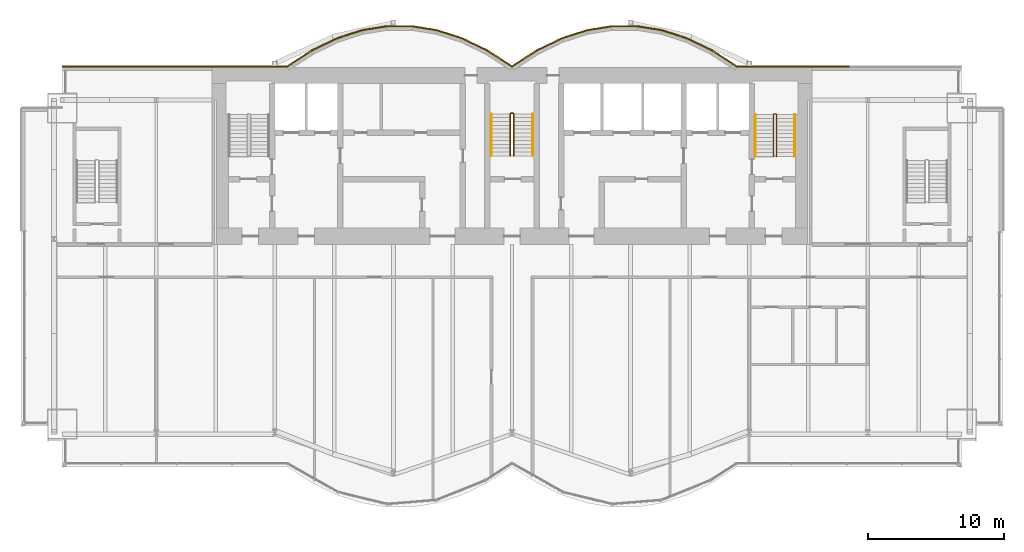
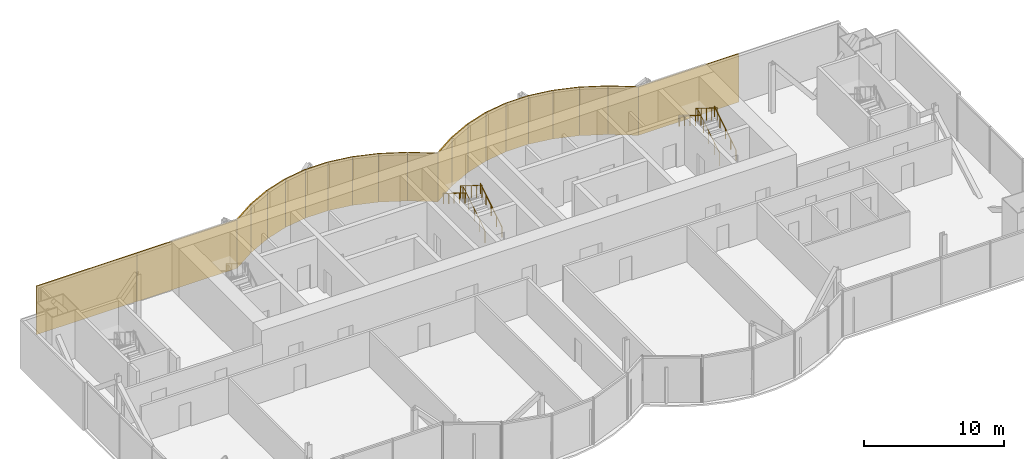
# One storey, part 18 of 19: 21 coverings, 6 railings.
"""IFC4 building model written with IfcOpenShell, lengths in metres."""

from ifc_helpers import new_model, si_unit, direction, frame, origin, origin_2d, place, context, subcontext, project, spatial, rectangle, circle, extrude, material, layer, layer_set, type_object, element, save


model = new_model("IFC4")

# Units and contexts
model_context = context("Model", 3, precision=1e-05, world=origin(), true_north=direction((0.0, 1.0)))
body_context = subcontext(model_context, "Body", "Model", "MODEL_VIEW")
ifc_project = project(units=[si_unit("LENGTHUNIT", "METRE"), si_unit("AREAUNIT", "SQUARE_METRE"), si_unit("VOLUMEUNIT", "CUBIC_METRE"), si_unit("PLANEANGLEUNIT", "RADIAN"), si_unit("MASSUNIT", "GRAM", prefix="KILO")], contexts=[model_context])

# Site, building, storey
site_placement = place(None, origin())
site = spatial("IfcSite", under=ifc_project, at=site_placement, CompositionType="ELEMENT")
building_placement = place(site_placement, origin())
building = spatial("IfcBuilding", under=site, at=building_placement, Name="Bicima Exchange Tower", CompositionType="ELEMENT")
storey_placement = place(building_placement, frame((0.0, 0.0, 258.199951171875)))
storey = spatial("IfcBuildingStorey", under=building, at=storey_placement, Name="L58", CompositionType="ELEMENT", Elevation=258.199951171875)

# Coverings
ifc_material_1 = material(Name="Bronze metal cladding")
ifc_layer_1 = layer(ifc_material_1, 0.004)
ifc_material_2 = material(Name="Ventilated cavity")
ifc_layer_2 = layer(ifc_material_2, 0.06)
ifc_material_3 = material(Name="Galvanised steel rail and mineral wool", Category="steel")
ifc_layer_3 = layer(ifc_material_3, 0.036)
ifc_layer_set = layer_set([ifc_layer_1, ifc_layer_2, ifc_layer_3], Name="Ventilated cavity")
covering_type = type_object("IfcCoveringType", Name="Bronze metal cladding panel 100", PredefinedType="CLADDING", material=ifc_layer_set)
covering_1_placement = place(storey_placement, frame((20.625, 0.050048828125, -0.14990234375), z_axis=(0.0, 0.0, 1.0), x_axis=(-1.0, 0.0, 0.0)))
element("IfcCovering", 1, at=covering_1_placement, inside=storey, type_object=covering_type, Name="Bronze cladding L58 1.2", PredefinedType="CLADDING", context=body_context, shape_type="SweptSolid", body=[
    extrude(rectangle(XDim=8.25, YDim=0.10009765625, at=origin_2d()), origin(), (0.0, 0.0, 1.0), 4.199951171875),
])
covering_2_placement = place(storey_placement, frame((15.610595703125, 0.634521484375, -0.14990234375), z_axis=(0.0, 0.0, 1.0), x_axis=(-0.839790466384, 0.542910648791, 0.0)))
element("IfcCovering", 2, at=covering_2_placement, inside=storey, type_object=covering_type, Name="Bronze cladding L58 2.1", PredefinedType="CLADDING", context=body_context, shape_type="SweptSolid", body=[
    extrude(rectangle(XDim=2.18310546875, YDim=0.10009765625, at=origin_2d()), origin(), (0.0, 0.0, 1.0), 4.199951171875),
])
covering_3_placement = place(storey_placement, frame((13.771728515625, 1.674560546875, -0.14990234375), z_axis=(0.0, 0.0, 1.0), x_axis=(-0.899818346812, 0.436264762204, 0.0)))
element("IfcCovering", 3, at=covering_3_placement, inside=storey, type_object=covering_type, Name="Bronze cladding L58 3.1", PredefinedType="CLADDING", context=body_context, shape_type="SweptSolid", body=[
    extrude(rectangle(XDim=2.03759765625, YDim=0.10009765625, at=origin_2d()), origin(), (0.0, 0.0, 1.0), 4.199951171875),
])
covering_4_placement = place(storey_placement, frame((11.931884765625, 2.41796875, -0.14990234375), z_axis=(0.0, 0.0, 1.0), x_axis=(-0.951524642381, 0.307572519808, 0.0)))
element("IfcCovering", 4, at=covering_4_placement, inside=storey, type_object=covering_type, Name="Bronze cladding L58 4.1", PredefinedType="CLADDING", context=body_context, shape_type="SweptSolid", body=[
    extrude(rectangle(XDim=1.9267578125, YDim=0.10009765625, at=origin_2d()), origin(), (0.0, 0.0, 1.0), 4.199951171875),
])
covering_5_placement = place(storey_placement, frame((10.09130859375, 2.8642578125, -0.14990234375), z_axis=(0.0, 0.0, 1.0), x_axis=(-0.987189786347, 0.159550386184, 0.0)))
element("IfcCovering", 5, at=covering_5_placement, inside=storey, type_object=covering_type, Name="Bronze cladding L58 5.1", PredefinedType="CLADDING", context=body_context, shape_type="SweptSolid", body=[
    extrude(rectangle(XDim=1.857177734375, YDim=0.10009765625, at=origin_2d()), origin(), (0.0, 0.0, 1.0), 4.199951171875),
])
covering_6_placement = place(storey_placement, frame((8.25, 3.012939453125, -0.14990234375), z_axis=(0.0, 0.0, 1.0), x_axis=(-1.0, 0.0, 0.0)))
element("IfcCovering", 6, at=covering_6_placement, inside=storey, type_object=covering_type, Name="Bronze cladding L58 6.1", PredefinedType="CLADDING", context=body_context, shape_type="SweptSolid", body=[
    extrude(rectangle(XDim=1.83349609375, YDim=0.10009765625, at=origin_2d()), origin(), (0.0, 0.0, 1.0), 4.199951171875),
])
covering_7_placement = place(storey_placement, frame((6.40869140625, 2.8642578125, -0.14990234375), z_axis=(0.0, 0.0, 1.0), x_axis=(-0.987189786347, -0.159550386184, 0.0)))
element("IfcCovering", 7, at=covering_7_placement, inside=storey, type_object=covering_type, Name="Bronze cladding L58 7.1", PredefinedType="CLADDING", context=body_context, shape_type="SweptSolid", body=[
    extrude(rectangle(XDim=1.857177734375, YDim=0.10009765625, at=origin_2d()), origin(), (0.0, 0.0, 1.0), 4.199951171875),
])
covering_8_placement = place(storey_placement, frame((4.568115234375, 2.41796875, -0.14990234375), z_axis=(0.0, 0.0, 1.0), x_axis=(-0.951524642381, -0.307572519808, 0.0)))
element("IfcCovering", 8, at=covering_8_placement, inside=storey, type_object=covering_type, Name="Bronze cladding L58 8.1", PredefinedType="CLADDING", context=body_context, shape_type="SweptSolid", body=[
    extrude(rectangle(XDim=1.9267578125, YDim=0.10009765625, at=origin_2d()), origin(), (0.0, 0.0, 1.0), 4.199951171875),
])
covering_9_placement = place(storey_placement, frame((2.728271484375, 1.674560546875, -0.14990234375), z_axis=(0.0, 0.0, 1.0), x_axis=(-0.899818346812, -0.436264762204, 0.0)))
element("IfcCovering", 9, at=covering_9_placement, inside=storey, type_object=covering_type, Name="Bronze cladding L58 9.1", PredefinedType="CLADDING", context=body_context, shape_type="SweptSolid", body=[
    extrude(rectangle(XDim=2.03759765625, YDim=0.10009765625, at=origin_2d()), origin(), (0.0, 0.0, 1.0), 4.199951171875),
])
for number, where, z_axis, x_axis, name in (
    (10, (0.889404296875, 0.634521484375, -0.14990234375), (0.0, 0.0, 1.0), (-0.839790466384, -0.542910648791, 0.0), "Bronze cladding L58 10.1"),
    (11, (-0.889404296875, 0.634521484375, -0.14990234375), (0.0, 0.0, 1.0), (-0.839790466384, 0.542910648791, 0.0), "Bronze cladding L58 11.1"),
):
    element("IfcCovering", number, at=place(storey_placement, frame(where, z_axis=z_axis, x_axis=x_axis)), inside=storey, type_object=covering_type, Name=name, PredefinedType="CLADDING", context=body_context, shape_type="SweptSolid", body=[
        extrude(rectangle(XDim=2.18310546875, YDim=0.10009765625, at=origin_2d()), origin(), (0.0, 0.0, 1.0), 4.199951171875),
    ])
covering_10_placement = place(storey_placement, frame((-2.728271484375, 1.674560546875, -0.14990234375), z_axis=(0.0, 0.0, 1.0), x_axis=(-0.899818346812, 0.436264762204, 0.0)))
element("IfcCovering", 12, at=covering_10_placement, inside=storey, type_object=covering_type, Name="Bronze cladding L58 12.1", PredefinedType="CLADDING", context=body_context, shape_type="SweptSolid", body=[
    extrude(rectangle(XDim=2.03759765625, YDim=0.10009765625, at=origin_2d()), origin(), (0.0, 0.0, 1.0), 4.199951171875),
])
covering_11_placement = place(storey_placement, frame((-4.568115234375, 2.41796875, -0.14990234375), z_axis=(0.0, 0.0, 1.0), x_axis=(-0.951524642381, 0.307572519808, 0.0)))
element("IfcCovering", 13, at=covering_11_placement, inside=storey, type_object=covering_type, Name="Bronze cladding L58 13.1", PredefinedType="CLADDING", context=body_context, shape_type="SweptSolid", body=[
    extrude(rectangle(XDim=1.9267578125, YDim=0.10009765625, at=origin_2d()), origin(), (0.0, 0.0, 1.0), 4.199951171875),
])
covering_12_placement = place(storey_placement, frame((-6.40869140625, 2.8642578125, -0.14990234375), z_axis=(0.0, 0.0, 1.0), x_axis=(-0.987189786347, 0.159550386184, 0.0)))
element("IfcCovering", 14, at=covering_12_placement, inside=storey, type_object=covering_type, Name="Bronze cladding L58 14.1", PredefinedType="CLADDING", context=body_context, shape_type="SweptSolid", body=[
    extrude(rectangle(XDim=1.857177734375, YDim=0.10009765625, at=origin_2d()), origin(), (0.0, 0.0, 1.0), 4.199951171875),
])
covering_13_placement = place(storey_placement, frame((-8.25, 3.012939453125, -0.14990234375), z_axis=(0.0, 0.0, 1.0), x_axis=(-1.0, 0.0, 0.0)))
element("IfcCovering", 15, at=covering_13_placement, inside=storey, type_object=covering_type, Name="Bronze cladding L58 15.1", PredefinedType="CLADDING", context=body_context, shape_type="SweptSolid", body=[
    extrude(rectangle(XDim=1.83349609375, YDim=0.10009765625, at=origin_2d()), origin(), (0.0, 0.0, 1.0), 4.199951171875),
])
covering_14_placement = place(storey_placement, frame((-10.09130859375, 2.8642578125, -0.14990234375), z_axis=(0.0, 0.0, 1.0), x_axis=(-0.987189786347, -0.159550386184, 0.0)))
element("IfcCovering", 16, at=covering_14_placement, inside=storey, type_object=covering_type, Name="Bronze cladding L58 16.1", PredefinedType="CLADDING", context=body_context, shape_type="SweptSolid", body=[
    extrude(rectangle(XDim=1.857177734375, YDim=0.10009765625, at=origin_2d()), origin(), (0.0, 0.0, 1.0), 4.199951171875),
])
covering_15_placement = place(storey_placement, frame((-11.931884765625, 2.41796875, -0.14990234375), z_axis=(0.0, 0.0, 1.0), x_axis=(-0.951524642381, -0.307572519808, 0.0)))
element("IfcCovering", 17, at=covering_15_placement, inside=storey, type_object=covering_type, Name="Bronze cladding L58 17.1", PredefinedType="CLADDING", context=body_context, shape_type="SweptSolid", body=[
    extrude(rectangle(XDim=1.9267578125, YDim=0.10009765625, at=origin_2d()), origin(), (0.0, 0.0, 1.0), 4.199951171875),
])
covering_16_placement = place(storey_placement, frame((-13.771728515625, 1.674560546875, -0.14990234375), z_axis=(0.0, 0.0, 1.0), x_axis=(-0.899818346812, -0.436264762204, 0.0)))
element("IfcCovering", 18, at=covering_16_placement, inside=storey, type_object=covering_type, Name="Bronze cladding L58 18.1", PredefinedType="CLADDING", context=body_context, shape_type="SweptSolid", body=[
    extrude(rectangle(XDim=2.03759765625, YDim=0.10009765625, at=origin_2d()), origin(), (0.0, 0.0, 1.0), 4.199951171875),
])
covering_17_placement = place(storey_placement, frame((-15.610595703125, 0.634521484375, -0.14990234375), z_axis=(0.0, 0.0, 1.0), x_axis=(-0.839790466384, -0.542910648791, 0.0)))
element("IfcCovering", 19, at=covering_17_placement, inside=storey, type_object=covering_type, Name="Bronze cladding L58 19.1", PredefinedType="CLADDING", context=body_context, shape_type="SweptSolid", body=[
    extrude(rectangle(XDim=2.18310546875, YDim=0.10009765625, at=origin_2d()), origin(), (0.0, 0.0, 1.0), 4.199951171875),
])
for number, where, z_axis, x_axis, name in (
    (20, (-20.625, 0.050048828125, -0.14990234375), (0.0, 0.0, 1.0), (-1.0, 0.0, 0.0), "Bronze cladding L58 20.1"),
    (21, (-28.875, 0.050048828125, -0.14990234375), (0.0, 0.0, 1.0), (-1.0, 0.0, 0.0), "Bronze cladding L58 20.2"),
):
    element("IfcCovering", number, at=place(storey_placement, frame(where, z_axis=z_axis, x_axis=x_axis)), inside=storey, type_object=covering_type, Name=name, PredefinedType="CLADDING", context=body_context, shape_type="SweptSolid", body=[
        extrude(rectangle(XDim=8.25, YDim=0.10009765625, at=origin_2d()), origin(), (0.0, 0.0, 1.0), 4.199951171875),
    ])

# Railings
ifc_material_4 = material(Name="Stainless steel", Category="steel")
railing_type_1 = type_object("IfcRailingType", Name="Stair guard 1100", PredefinedType="GUARDRAIL", material=ifc_material_4)
railing_1_placement = place(storey_placement, frame((0.125, -6.5, 0.175048828125)))
element("IfcRailing", 22, at=railing_1_placement, inside=storey, type_object=railing_type_1, Name="L58 ST-C stair guard 1", PredefinedType="GUARDRAIL", context=body_context, shape_type="SweptSolid", body=[
    extrude(circle(Radius=0.02392578125, at=origin_2d()), frame((0.0, 0.0, 1.076171875), z_axis=(0.0, 0.847998304005, 0.529998940003), x_axis=(-1.0, 0.0, 0.0)), (0.0, 0.0, 1.0), 3.632080078125),
    extrude(circle(Radius=0.02392578125, at=origin_2d()), frame((0.0, 3.080078125, 3.0009765625), z_axis=(-0.708833529934, 0.705375805398, 0.0), x_axis=(-0.705375805398, -0.708833529934, 0.0)), (0.0, 0.0, 1.0), 0.070556640625),
    extrude(circle(Radius=0.02392578125, at=origin_2d()), frame((-0.050048828125, 3.1298828125, 3.0009765625), z_axis=(-1.0, 0.0, 0.0), x_axis=(0.0, -1.0, 0.0)), (0.0, 0.0, 1.0), 0.14990234375),
    extrude(circle(Radius=0.02392578125, at=origin_2d()), frame((-0.199951171875, 3.1298828125, 3.0009765625), z_axis=(-0.265155923931, -0.263862480399, 0.927399011991), x_axis=(0.705375805398, -0.708833529934, 0.0)), (0.0, 0.0, 1.0), 0.188720703125),
    extrude(circle(Radius=0.02392578125, at=origin_2d()), frame((-0.25, 3.080078125, 3.17626953125), z_axis=(0.0, -0.848028513186, 0.529950602248), x_axis=(1.0, 0.0, 0.0)), (0.0, 0.0, 1.0), 3.632080078125),
    extrude(circle(Radius=0.02099609375, at=origin_2d()), origin(), (0.0, 0.0, 1.0), 1.052001953125),
    extrude(circle(Radius=0.02099609375, at=origin_2d()), frame((0.0, 0.77001953125, 0.481201171875)), (0.0, 0.0, 1.0), 1.052001953125),
    extrude(circle(Radius=0.02099609375, at=origin_2d()), frame((0.0, 1.5400390625, 0.96240234375)), (0.0, 0.0, 1.0), 1.052001953125),
    extrude(circle(Radius=0.02099609375, at=origin_2d()), frame((0.0, 2.31005859375, 1.44384765625)), (0.0, 0.0, 1.0), 1.052001953125),
    extrude(circle(Radius=0.02099609375, at=origin_2d()), frame((0.0, 3.080078125, 1.925048828125)), (0.0, 0.0, 1.0), 1.052001953125),
    extrude(circle(Radius=0.02099609375, at=origin_2d()), frame((-0.050048828125, 3.1298828125, 1.925048828125)), (0.0, 0.0, 1.0), 1.052001953125),
    extrude(circle(Radius=0.02099609375, at=origin_2d()), frame((-0.199951171875, 3.1298828125, 1.925048828125)), (0.0, 0.0, 1.0), 1.052001953125),
    extrude(circle(Radius=0.02099609375, at=origin_2d()), frame((-0.25, 3.080078125, 2.10009765625)), (0.0, 0.0, 1.0), 1.052001953125),
    extrude(circle(Radius=0.02099609375, at=origin_2d()), frame((-0.25, 2.31005859375, 2.581298828125)), (0.0, 0.0, 1.0), 1.052001953125),
    extrude(circle(Radius=0.02099609375, at=origin_2d()), frame((-0.25, 1.5400390625, 3.0625)), (0.0, 0.0, 1.0), 1.052001953125),
    extrude(circle(Radius=0.02099609375, at=origin_2d()), frame((-0.25, 0.77001953125, 3.543701171875)), (0.0, 0.0, 1.0), 1.052001953125),
    extrude(circle(Radius=0.02099609375, at=origin_2d()), frame((-0.25, 0.0, 4.02490234375)), (0.0, 0.0, 1.0), 1.052001953125),
])
railing_2_placement = place(storey_placement, frame((19.39990234375, -6.550048828125, 0.175048828125)))
element("IfcRailing", 23, at=railing_2_placement, inside=storey, type_object=railing_type_1, Name="L58 ST-E stair guard 1", PredefinedType="GUARDRAIL", context=body_context, shape_type="SweptSolid", body=[
    extrude(circle(Radius=0.02392578125, at=origin_2d()), frame((0.0, 0.0, 1.076171875), z_axis=(0.0, 0.847998304005, 0.529998940003), x_axis=(-1.0, 0.0, 0.0)), (0.0, 0.0, 1.0), 3.632080078125),
    extrude(circle(Radius=0.02392578125, at=origin_2d()), frame((0.0, 3.080078125, 3.0009765625), z_axis=(-0.705375805398, 0.708833529934, 0.0), x_axis=(-0.708833529934, -0.705375805398, 0.0)), (0.0, 0.0, 1.0), 0.070556640625),
    extrude(circle(Radius=0.02392578125, at=origin_2d()), frame((-0.0498046875, 3.130126953125, 3.0009765625), z_axis=(-1.0, 0.0, 0.0), x_axis=(0.0, -1.0, 0.0)), (0.0, 0.0, 1.0), 0.10009765625),
    extrude(circle(Radius=0.02392578125, at=origin_2d()), frame((-0.14990234375, 3.130126953125, 3.0009765625), z_axis=(-0.265065253269, -0.265065253269, 0.927081885822), x_axis=(0.707106781187, -0.707106781187, 0.0)), (0.0, 0.0, 1.0), 0.188720703125),
    extrude(circle(Radius=0.02392578125, at=origin_2d()), frame((-0.199951171875, 3.080078125, 3.17626953125), z_axis=(0.0, -0.848028513186, 0.529950602248), x_axis=(1.0, 0.0, 0.0)), (0.0, 0.0, 1.0), 3.632080078125),
    extrude(circle(Radius=0.02099609375, at=origin_2d()), origin(), (0.0, 0.0, 1.0), 1.052001953125),
    extrude(circle(Radius=0.02099609375, at=origin_2d()), frame((0.0, 0.77001953125, 0.481201171875)), (0.0, 0.0, 1.0), 1.052001953125),
    extrude(circle(Radius=0.02099609375, at=origin_2d()), frame((0.0, 1.5400390625, 0.96240234375)), (0.0, 0.0, 1.0), 1.052001953125),
    extrude(circle(Radius=0.02099609375, at=origin_2d()), frame((0.0, 2.31005859375, 1.44384765625)), (0.0, 0.0, 1.0), 1.052001953125),
    extrude(circle(Radius=0.02099609375, at=origin_2d()), frame((0.0, 3.080078125, 1.925048828125)), (0.0, 0.0, 1.0), 1.052001953125),
    extrude(circle(Radius=0.02099609375, at=origin_2d()), frame((-0.0498046875, 3.130126953125, 1.925048828125)), (0.0, 0.0, 1.0), 1.052001953125),
    extrude(circle(Radius=0.02099609375, at=origin_2d()), frame((-0.14990234375, 3.130126953125, 1.925048828125)), (0.0, 0.0, 1.0), 1.052001953125),
    extrude(circle(Radius=0.02099609375, at=origin_2d()), frame((-0.199951171875, 3.080078125, 2.10009765625)), (0.0, 0.0, 1.0), 1.052001953125),
    extrude(circle(Radius=0.02099609375, at=origin_2d()), frame((-0.199951171875, 2.31005859375, 2.581298828125)), (0.0, 0.0, 1.0), 1.052001953125),
    extrude(circle(Radius=0.02099609375, at=origin_2d()), frame((-0.199951171875, 1.5400390625, 3.0625)), (0.0, 0.0, 1.0), 1.052001953125),
    extrude(circle(Radius=0.02099609375, at=origin_2d()), frame((-0.199951171875, 0.77001953125, 3.543701171875)), (0.0, 0.0, 1.0), 1.052001953125),
    extrude(circle(Radius=0.02099609375, at=origin_2d()), frame((-0.199951171875, 0.0, 4.02490234375)), (0.0, 0.0, 1.0), 1.052001953125),
])
railing_type_2 = type_object("IfcRailingType", Name="Stair handrail 900", PredefinedType="HANDRAIL", material=ifc_material_4)
railing_3_placement = place(storey_placement, frame((1.52490234375, -6.5, 0.175048828125)))
element("IfcRailing", 24, at=railing_3_placement, inside=storey, type_object=railing_type_2, Name="L58 ST-C stair handrail 1", PredefinedType="HANDRAIL", context=body_context, shape_type="SweptSolid", body=[
    extrude(circle(Radius=0.02392578125, at=origin_2d()), frame((0.0, 0.0, 0.8759765625), z_axis=(0.0, 0.847998304005, 0.529998940003), x_axis=(-1.0, 0.0, 0.0)), (0.0, 0.0, 1.0), 3.632080078125),
    extrude(circle(Radius=0.02099609375, at=origin_2d()), origin(), (0.0, 0.0, 1.0), 0.851806640625),
    extrude(circle(Radius=0.02099609375, at=origin_2d()), frame((0.0, 0.77001953125, 0.481201171875)), (0.0, 0.0, 1.0), 0.851806640625),
    extrude(circle(Radius=0.02099609375, at=origin_2d()), frame((0.0, 1.5400390625, 0.96240234375)), (0.0, 0.0, 1.0), 0.851806640625),
    extrude(circle(Radius=0.02099609375, at=origin_2d()), frame((0.0, 2.31005859375, 1.44384765625)), (0.0, 0.0, 1.0), 0.851806640625),
    extrude(circle(Radius=0.02099609375, at=origin_2d()), frame((0.0, 3.080078125, 1.925048828125)), (0.0, 0.0, 1.0), 0.851806640625),
])
railing_4_placement = place(storey_placement, frame((-1.52490234375, -3.419921875, 2.303955078125)))
element("IfcRailing", 25, at=railing_4_placement, inside=storey, type_object=railing_type_2, Name="L58 ST-C stair handrail 2", PredefinedType="HANDRAIL", context=body_context, shape_type="SweptSolid", body=[
    extrude(circle(Radius=0.02392578125, at=origin_2d()), frame((0.0, 0.0, 0.8759765625), z_axis=(0.0, -0.847998304005, 0.529998940003), x_axis=(1.0, 0.0, 0.0)), (0.0, 0.0, 1.0), 3.632080078125),
    extrude(circle(Radius=0.02099609375, at=origin_2d()), origin(), (0.0, 0.0, 1.0), 0.851806640625),
    extrude(circle(Radius=0.02099609375, at=origin_2d()), frame((0.0, -0.77001953125, 0.481201171875)), (0.0, 0.0, 1.0), 0.851806640625),
    extrude(circle(Radius=0.02099609375, at=origin_2d()), frame((0.0, -1.5400390625, 0.96240234375)), (0.0, 0.0, 1.0), 0.851806640625),
    extrude(circle(Radius=0.02099609375, at=origin_2d()), frame((0.0, -2.31005859375, 1.44384765625)), (0.0, 0.0, 1.0), 0.851806640625),
    extrude(circle(Radius=0.02099609375, at=origin_2d()), frame((0.0, -3.080078125, 1.925048828125)), (0.0, 0.0, 1.0), 0.851806640625),
])
railing_5_placement = place(storey_placement, frame((20.75, -6.550048828125, 0.175048828125)))
element("IfcRailing", 26, at=railing_5_placement, inside=storey, type_object=railing_type_2, Name="L58 ST-E stair handrail 1", PredefinedType="HANDRAIL", context=body_context, shape_type="SweptSolid", body=[
    extrude(circle(Radius=0.02392578125, at=origin_2d()), frame((0.0, 0.0, 0.8759765625), z_axis=(0.0, 0.847998304005, 0.529998940003), x_axis=(-1.0, 0.0, 0.0)), (0.0, 0.0, 1.0), 3.632080078125),
    extrude(circle(Radius=0.02099609375, at=origin_2d()), origin(), (0.0, 0.0, 1.0), 0.851806640625),
    extrude(circle(Radius=0.02099609375, at=origin_2d()), frame((0.0, 0.77001953125, 0.481201171875)), (0.0, 0.0, 1.0), 0.851806640625),
    extrude(circle(Radius=0.02099609375, at=origin_2d()), frame((0.0, 1.5400390625, 0.96240234375)), (0.0, 0.0, 1.0), 0.851806640625),
    extrude(circle(Radius=0.02099609375, at=origin_2d()), frame((0.0, 2.31005859375, 1.44384765625)), (0.0, 0.0, 1.0), 0.851806640625),
    extrude(circle(Radius=0.02099609375, at=origin_2d()), frame((0.0, 3.080078125, 1.925048828125)), (0.0, 0.0, 1.0), 0.851806640625),
])
railing_6_placement = place(storey_placement, frame((17.85009765625, -3.469970703125, 2.303955078125)))
element("IfcRailing", 27, at=railing_6_placement, inside=storey, type_object=railing_type_2, Name="L58 ST-E stair handrail 2", PredefinedType="HANDRAIL", context=body_context, shape_type="SweptSolid", body=[
    extrude(circle(Radius=0.02392578125, at=origin_2d()), frame((0.0, 0.0, 0.8759765625), z_axis=(0.0, -0.847998304005, 0.529998940003), x_axis=(1.0, 0.0, 0.0)), (0.0, 0.0, 1.0), 3.632080078125),
    extrude(circle(Radius=0.02099609375, at=origin_2d()), origin(), (0.0, 0.0, 1.0), 0.851806640625),
    extrude(circle(Radius=0.02099609375, at=origin_2d()), frame((0.0, -0.77001953125, 0.481201171875)), (0.0, 0.0, 1.0), 0.851806640625),
    extrude(circle(Radius=0.02099609375, at=origin_2d()), frame((0.0, -1.5400390625, 0.96240234375)), (0.0, 0.0, 1.0), 0.851806640625),
    extrude(circle(Radius=0.02099609375, at=origin_2d()), frame((0.0, -2.31005859375, 1.44384765625)), (0.0, 0.0, 1.0), 0.851806640625),
    extrude(circle(Radius=0.02099609375, at=origin_2d()), frame((0.0, -3.080078125, 1.925048828125)), (0.0, 0.0, 1.0), 0.851806640625),
])

save(model, "model.ifc")
